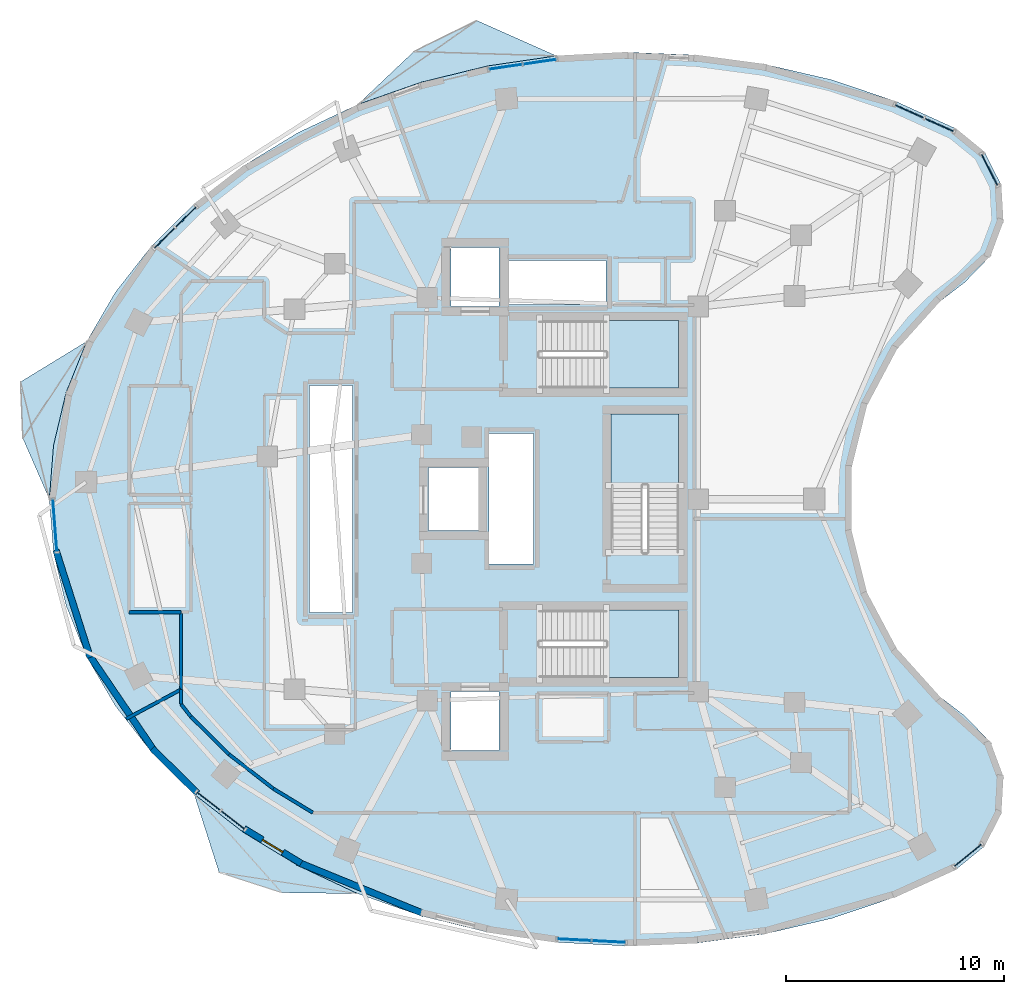
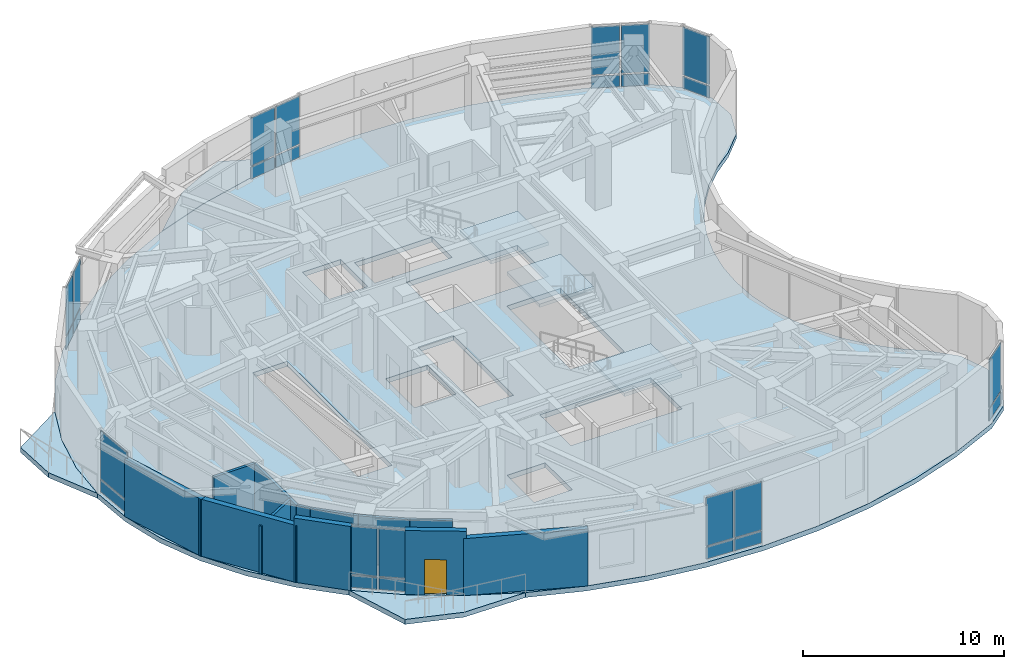
# One storey, part 6 of 13: 26 plates, 13 walls, 7 slabs, 1 door, 1 opening, 11 elements without a shape of their own.
"""IFC4 building model written with IfcOpenShell, lengths in metres."""

import ifcopenshell
import ifcopenshell.guid

model = None  # the IFC model being written
_history = None  # IfcOwnerHistory: only IFC2X3 demands one
_inside = {}  # id of a spatial element -> (the spatial element, [elements in it])
_under = {}  # id of a project, library or spatial element -> (it, [spatial elements below it])
_declared = {}  # id of a project -> (the project, [libraries it declares])
_typed = {}  # id of a type object -> (the type object, [elements of that type])
_made_of = {}  # id of a material, layer set ... -> (it, [elements and type objects made of it])


def new_model(schema):
    """Start an empty IFC model of exactly this schema.

    Asked for "IFC4X3", IfcOpenShell would pick the latest addendum, in which some entities
    have other attributes; the version numbers below select the first issue.
    IFC2X3 requires an IfcOwnerHistory on every rooted entity: one is made here for all.
    """
    global model, _history
    if schema == "IFC4X3":
        model = ifcopenshell.file(schema_version=(4, 3, 0, 0))
    else:
        model = ifcopenshell.file(schema=schema)
    _inside.clear()
    _under.clear()
    _declared.clear()
    _typed.clear()
    _made_of.clear()
    _history = None
    if model.schema == "IFC2X3":
        org = make("IfcOrganization", Name="unknown")
        user = make(
            "IfcPersonAndOrganization",
            ThePerson=make("IfcPerson", FamilyName="unknown"),
            TheOrganization=org,
        )
        app = make(
            "IfcApplication",
            ApplicationDeveloper=org,
            Version="unknown",
            ApplicationFullName="unknown",
            ApplicationIdentifier="unknown",
        )
        _history = make(
            "IfcOwnerHistory",
            OwningUser=user,
            OwningApplication=app,
            ChangeAction="ADDED",
            CreationDate=0,
        )
    return model


def make(cls, **values):
    """One entity of the class cls with the attributes given. An attribute that is None is left unset."""
    return model.create_entity(
        cls, **{name: value for name, value in values.items() if value is not None}
    )


def rooted(cls, **values):
    """An entity with a GlobalId (a new one), such as an element, a storey or a relation."""
    return make(cls, GlobalId=ifcopenshell.guid.new(), OwnerHistory=_history, **values)


def si_unit(unit_type, name, prefix=None):
    """IfcSIUnit, for example si_unit("LENGTHUNIT", "METRE", prefix="MILLI")."""
    return make("IfcSIUnit", UnitType=unit_type, Prefix=prefix, Name=name)


def assignment(units):
    """IfcUnitAssignment: the units of a project."""
    return None if units is None else make("IfcUnitAssignment", Units=units)


def point(xyz):
    """IfcCartesianPoint."""
    return None if xyz is None else make("IfcCartesianPoint", Coordinates=xyz)


def direction(xyz):
    """IfcDirection."""
    return None if xyz is None else make("IfcDirection", DirectionRatios=xyz)


def frame(location, z_axis=None, x_axis=None):
    """IfcAxis2Placement3D, a coordinate frame: its origin and axes. An axis left out is left unset."""
    return make(
        "IfcAxis2Placement3D",
        Location=point(location),
        Axis=direction(z_axis),
        RefDirection=direction(x_axis),
    )


def frame_2d(location, x_axis=None):
    """IfcAxis2Placement2D, a coordinate frame in the plane: its origin and x axis."""
    return make(
        "IfcAxis2Placement2D", Location=point(location), RefDirection=direction(x_axis)
    )


def origin():
    """The frame at (0, 0, 0) with its axes left unset."""
    return frame((0.0, 0.0, 0.0))


def origin_2d():
    """The frame at (0, 0) in the plane with its x axis left unset."""
    return frame_2d((0.0, 0.0))


def place(relative_to, where):
    """IfcLocalPlacement: puts the frame where relative to a parent placement (None: the world)."""
    return make(
        "IfcLocalPlacement", PlacementRelTo=relative_to, RelativePlacement=where
    )


def context(
    kind, dimensions, precision=None, world=None, true_north=None, identifier=None
):
    """IfcGeometricRepresentationContext, for example the 3D "Model" context."""
    return make(
        "IfcGeometricRepresentationContext",
        ContextIdentifier=identifier,
        ContextType=kind,
        CoordinateSpaceDimension=dimensions,
        Precision=precision,
        WorldCoordinateSystem=world,
        TrueNorth=true_north,
    )


def subcontext(parent, identifier, kind, view, scale=None):
    """IfcGeometricRepresentationSubContext, for example "Body" below "Model"."""
    return make(
        "IfcGeometricRepresentationSubContext",
        ContextIdentifier=identifier,
        ContextType=kind,
        ParentContext=parent,
        TargetScale=scale,
        TargetView=view,
    )


def project(units=None, contexts=None):
    """IfcProject with its units and contexts."""
    return rooted(
        "IfcProject",
        Name="project",
        RepresentationContexts=contexts,
        UnitsInContext=assignment(units),
    )


def spatial(cls, under=None, at=None, **own):
    """A site, building, storey or space (cls), placed at a placement, below another one or the project."""
    s = rooted(cls, ObjectPlacement=at, **own)
    if under is not None:
        _under.setdefault(under.id(), (under, []))[1].append(s)
    return s


def polyline(points):
    """IfcPolyline through the points."""
    return make("IfcPolyline", Points=[point(p) for p in points])


def profile(cls, at=None, kind="AREA", **sizes):
    """A parametric profile (cls). Its sizes go by their IFC names, for example OverallWidth=200.0."""
    return make(cls, ProfileType=kind, Position=at, **sizes)


def rectangle(**sizes):
    """IfcRectangleProfileDef."""
    return profile("IfcRectangleProfileDef", **sizes)


def outline(outer, holes=None, kind="AREA"):
    """IfcArbitraryClosedProfileDef: a profile drawn as a closed curve; with holes, ...WithVoids."""
    if holes is None:
        return make("IfcArbitraryClosedProfileDef", ProfileType=kind, OuterCurve=outer)
    return make(
        "IfcArbitraryProfileDefWithVoids",
        ProfileType=kind,
        OuterCurve=outer,
        InnerCurves=holes,
    )


def extrude(swept, where, along, depth):
    """IfcExtrudedAreaSolid: the profile swept, set in the frame where, extruded along a direction by depth."""
    return make(
        "IfcExtrudedAreaSolid",
        SweptArea=swept,
        Position=where,
        ExtrudedDirection=direction(along),
        Depth=depth,
    )


def shape(context_of_items, identifier, shape_type, items):
    """IfcShapeRepresentation: the items that make up one representation, for example the "Body"."""
    return make(
        "IfcShapeRepresentation",
        ContextOfItems=context_of_items,
        RepresentationIdentifier=identifier,
        RepresentationType=shape_type,
        Items=items,
    )


def material(Name=None, Category=None):
    """IfcMaterial."""
    return make("IfcMaterial", Name=Name, Category=Category)


def layer(
    of_material, thickness, ventilated=None, Name=None, Category=None, Priority=None
):
    """IfcMaterialLayer: one layer of a wall or slab, of a material (None: an air gap)."""
    return make(
        "IfcMaterialLayer",
        Material=of_material,
        LayerThickness=thickness,
        IsVentilated=ventilated,
        Name=Name,
        Category=Category,
        Priority=Priority,
    )


def layer_set(layers, Name=None):
    """IfcMaterialLayerSet."""
    return make("IfcMaterialLayerSet", MaterialLayers=layers, LayerSetName=Name)


def made_of(thing, what):
    """Note that an element or type object is made of a material, layer set ...; save() writes the relation."""
    if what is not None:
        _made_of.setdefault(what.id(), (what, []))[1].append(thing)
    return thing


def type_object(cls, material=None, **own):
    """A type object (cls), such as IfcWallType, which elements share."""
    return made_of(rooted(cls, **own), material)


def element(
    cls,
    number,
    at=None,
    inside=None,
    cuts=None,
    type_object=None,
    material=None,
    context=None,
    identifier="Body",
    shape_type=None,
    held_by="IfcProductDefinitionShape",
    body=None,
    shapes=None,
    **own,
):
    """One element of the class cls, such as IfcWall. Its Tag is "e" and its number.

    at: its placement. inside: the storey or other place that contains it. cuts: it is an
    opening in that element (IfcRelVoidsElement). A single representation is given by context,
    identifier, shape_type and body (its items); several are given by shapes. held_by: the class
    of the entity that holds the representations. save() writes the other relations.
    """
    e = rooted(cls, Tag="e%d" % number, ObjectPlacement=at, **own)
    if body is not None:
        shapes = [shape(context, identifier, shape_type, body)]
    if shapes is not None:
        e.Representation = make(held_by, Representations=shapes)
    if inside is not None:
        _inside.setdefault(inside.id(), (inside, []))[1].append(e)
    if cuts is not None:
        rooted(
            "IfcRelVoidsElement", RelatingBuildingElement=cuts, RelatedOpeningElement=e
        )
    if type_object is not None:
        _typed.setdefault(type_object.id(), (type_object, []))[1].append(e)
    return made_of(e, material)


def fill(opening, filler):
    """IfcRelFillsElement: the door or window that sits in an opening."""
    return rooted(
        "IfcRelFillsElement",
        RelatingOpeningElement=opening,
        RelatedBuildingElement=filler,
    )


def aggregate(whole, parts):
    """IfcRelAggregates: a whole, such as a stair, and the parts it consists of."""
    return rooted("IfcRelAggregates", RelatingObject=whole, RelatedObjects=parts)


def save(model, path):
    """Write the relations noted so far, then the file.

    IfcRelAggregates (storeys below a building ...), IfcRelContainedInSpatialStructure (elements
    in a storey), IfcRelDefinesByType, IfcRelAssociatesMaterial and IfcRelDeclares: one each for
    every whole, place, type object, material and project.
    """
    for whole, parts in _under.values():
        aggregate(whole, parts)
    for where, things in _inside.values():
        rooted(
            "IfcRelContainedInSpatialStructure",
            RelatedElements=things,
            RelatingStructure=where,
        )
    for kind, things in _typed.values():
        rooted("IfcRelDefinesByType", RelatedObjects=things, RelatingType=kind)
    for what, things in _made_of.values():
        rooted("IfcRelAssociatesMaterial", RelatedObjects=things, RelatingMaterial=what)
    for by, libraries in _declared.values():
        rooted("IfcRelDeclares", RelatingContext=by, RelatedDefinitions=libraries)
    model.write(path)


model = new_model("IFC4")

# Units and contexts
model_context = context("Model", 3, precision=1e-05, world=origin(), true_north=direction((0.0, 1.0)))
body_context = subcontext(model_context, "Body", "Model", "MODEL_VIEW")
ifc_project = project(units=[si_unit("LENGTHUNIT", "METRE"), si_unit("AREAUNIT", "SQUARE_METRE"), si_unit("VOLUMEUNIT", "CUBIC_METRE"), si_unit("PLANEANGLEUNIT", "RADIAN"), si_unit("MASSUNIT", "GRAM", prefix="KILO")], contexts=[model_context])

# Site, building, storey
site_placement = place(None, origin())
site = spatial("IfcSite", under=ifc_project, at=site_placement, CompositionType="ELEMENT")
building_placement = place(site_placement, origin())
building = spatial("IfcBuilding", under=site, at=building_placement, Name="Korentha Bioscience Tower", CompositionType="ELEMENT")
storey_placement = place(building_placement, frame((0.0, 0.0, 171.0)))
storey = spatial("IfcBuildingStorey", under=building, at=storey_placement, Name="L39", CompositionType="ELEMENT", Elevation=171.0)

# Curtain wall, plates
ifc_material_1 = material(Name="Thermally Broken Aluminium Frame", Category="aluminium")
ifc_layer_1 = layer(ifc_material_1, 0.219970703125, Name="Thermally Broken Aluminium Frame")
ifc_layer_set_1 = layer_set([ifc_layer_1], Name="Thermally Broken Aluminium Frame (CW-T1)")
curtain_wall_type = type_object("IfcCurtainWallType", Name="Standard Bioscience Lab Unitised Curtain Wall CW-T1", PredefinedType="USERDEFINED", material=ifc_layer_set_1)
curtain_wall_1_placement = place(storey_placement, origin())
curtain_wall_1 = element("IfcCurtainWall", 1, at=curtain_wall_1_placement, inside=storey, type_object=curtain_wall_type, Name="L39 Curtain Wall 01", ObjectType="UNITISED", PredefinedType="USERDEFINED")
ifc_material_2 = material(Name="Triple-Glazed Low-E Insulated Glass", Category="glass")
ifc_layer_2 = layer(ifc_material_2, 0.0439453125, Name="Triple-Glazed Low-E Insulated Glass")
ifc_layer_set_2 = layer_set([ifc_layer_2], Name="Triple-Glazed Low-E Insulated Glass (GL-44)")
plate_type = type_object("IfcPlateType", Name="Glazed Panel 44mm", PredefinedType="CURTAIN_PANEL", material=ifc_layer_set_2)
plate_1_placement = place(storey_placement, frame((48.625732421875, 44.190673828125, 0.08984375), z_axis=(0.0, 0.0, 1.0), x_axis=(-0.910644398392, 0.413190972406, 0.0)))
plate_1 = element("IfcPlate", 2, at=plate_1_placement, type_object=plate_type, Name="CW-L39-01 Bay 1 Glazed Panel 1", PredefinedType="CURTAIN_PANEL", context=body_context, shape_type="SweptSolid", body=[
    extrude(rectangle(XDim=1.422607421875, YDim=0.0439453125, at=origin_2d()), origin(), (0.0, 0.0, 1.0), 0.715087890625),
])
plate_2_placement = place(storey_placement, frame((48.625732421875, 44.190673828125, 0.89501953125), z_axis=(0.0, 0.0, 1.0), x_axis=(-0.910644398392, 0.413190972406, 0.0)))
plate_2 = element("IfcPlate", 3, at=plate_2_placement, type_object=plate_type, Name="CW-L39-01 Bay 1 Glazed Panel 2", PredefinedType="CURTAIN_PANEL", context=body_context, shape_type="SweptSolid", body=[
    extrude(rectangle(XDim=1.422607421875, YDim=0.0439453125, at=origin_2d()), origin(), (0.0, 0.0, 1.0), 2.9150390625),
])
plate_3_placement = place(storey_placement, frame((47.248291015625, 44.815673828125, 0.08984375), z_axis=(0.0, 0.0, 1.0), x_axis=(-0.910644398392, 0.413190972406, 0.0)))
plate_3 = element("IfcPlate", 4, at=plate_3_placement, type_object=plate_type, Name="CW-L39-01 Bay 2 Glazed Panel 1", PredefinedType="CURTAIN_PANEL", context=body_context, shape_type="SweptSolid", body=[
    extrude(rectangle(XDim=1.422607421875, YDim=0.0439453125, at=origin_2d()), origin(), (0.0, 0.0, 1.0), 0.715087890625),
])
plate_4_placement = place(storey_placement, frame((47.248291015625, 44.815673828125, 0.89501953125), z_axis=(0.0, 0.0, 1.0), x_axis=(-0.910644398392, 0.413190972406, 0.0)))
plate_4 = element("IfcPlate", 5, at=plate_4_placement, type_object=plate_type, Name="CW-L39-01 Bay 2 Glazed Panel 2", PredefinedType="CURTAIN_PANEL", context=body_context, shape_type="SweptSolid", body=[
    extrude(rectangle(XDim=1.422607421875, YDim=0.0439453125, at=origin_2d()), origin(), (0.0, 0.0, 1.0), 2.9150390625),
])
aggregate(curtain_wall_1, [plate_1, plate_2, plate_3, plate_4])

curtain_wall_2_placement = place(storey_placement, origin())
curtain_wall_2 = element("IfcCurtainWall", 6, at=curtain_wall_2_placement, inside=storey, type_object=curtain_wall_type, Name="L39 Curtain Wall 07", ObjectType="UNITISED", PredefinedType="USERDEFINED")
plate_5_placement = place(storey_placement, frame((30.27099609375, 47.090087890625, 0.08984375), z_axis=(0.0, 0.0, 1.0), x_axis=(-0.989461919888, -0.144793332342, 0.0)))
plate_5 = element("IfcPlate", 7, at=plate_5_placement, type_object=plate_type, Name="CW-L39-07 Bay 1 Glazed Panel 1", PredefinedType="CURTAIN_PANEL", context=body_context, shape_type="SweptSolid", body=[
    extrude(rectangle(XDim=1.498291015625, YDim=0.0439453125, at=origin_2d()), origin(), (0.0, 0.0, 1.0), 0.715087890625),
])
plate_6_placement = place(storey_placement, frame((30.27099609375, 47.090087890625, 0.89501953125), z_axis=(0.0, 0.0, 1.0), x_axis=(-0.989461919888, -0.144793332342, 0.0)))
plate_6 = element("IfcPlate", 8, at=plate_6_placement, type_object=plate_type, Name="CW-L39-07 Bay 1 Glazed Panel 2", PredefinedType="CURTAIN_PANEL", context=body_context, shape_type="SweptSolid", body=[
    extrude(rectangle(XDim=1.498291015625, YDim=0.0439453125, at=origin_2d()), origin(), (0.0, 0.0, 1.0), 2.9150390625),
])
plate_7_placement = place(storey_placement, frame((28.69921875, 46.860107421875, 0.08984375), z_axis=(0.0, 0.0, 1.0), x_axis=(-0.989461919888, -0.144793332342, 0.0)))
plate_7 = element("IfcPlate", 9, at=plate_7_placement, type_object=plate_type, Name="CW-L39-07 Bay 2 Glazed Panel 1", PredefinedType="CURTAIN_PANEL", context=body_context, shape_type="SweptSolid", body=[
    extrude(rectangle(XDim=1.498291015625, YDim=0.0439453125, at=origin_2d()), origin(), (0.0, 0.0, 1.0), 0.715087890625),
])
plate_8_placement = place(storey_placement, frame((28.69921875, 46.860107421875, 0.89501953125), z_axis=(0.0, 0.0, 1.0), x_axis=(-0.989461919888, -0.144793332342, 0.0)))
plate_8 = element("IfcPlate", 10, at=plate_8_placement, type_object=plate_type, Name="CW-L39-07 Bay 2 Glazed Panel 2", PredefinedType="CURTAIN_PANEL", context=body_context, shape_type="SweptSolid", body=[
    extrude(rectangle(XDim=1.498291015625, YDim=0.0439453125, at=origin_2d()), origin(), (0.0, 0.0, 1.0), 2.9150390625),
])
aggregate(curtain_wall_2, [plate_5, plate_6, plate_7, plate_8])

curtain_wall_3_placement = place(storey_placement, origin())
curtain_wall_3 = element("IfcCurtainWall", 11, at=curtain_wall_3_placement, inside=storey, type_object=curtain_wall_type, Name="L39 Curtain Wall 13", ObjectType="UNITISED", PredefinedType="USERDEFINED")
plate_9_placement = place(storey_placement, frame((14.00830078125, 39.957763671875, 0.08984375), z_axis=(0.0, 0.0, 1.0), x_axis=(-0.711460557971, -0.702726030862, 0.0)))
plate_9 = element("IfcPlate", 12, at=plate_9_placement, type_object=plate_type, Name="CW-L39-13 Bay 1 Glazed Panel 1", PredefinedType="CURTAIN_PANEL", context=body_context, shape_type="SweptSolid", body=[
    extrude(rectangle(XDim=1.290283203125, YDim=0.0439453125, at=origin_2d()), origin(), (0.0, 0.0, 1.0), 0.715087890625),
])
plate_10_placement = place(storey_placement, frame((14.00830078125, 39.957763671875, 0.89501953125), z_axis=(0.0, 0.0, 1.0), x_axis=(-0.711460557971, -0.702726030862, 0.0)))
plate_10 = element("IfcPlate", 13, at=plate_10_placement, type_object=plate_type, Name="CW-L39-13 Bay 1 Glazed Panel 2", PredefinedType="CURTAIN_PANEL", context=body_context, shape_type="SweptSolid", body=[
    extrude(rectangle(XDim=1.290283203125, YDim=0.0439453125, at=origin_2d()), origin(), (0.0, 0.0, 1.0), 2.9150390625),
])
plate_11_placement = place(storey_placement, frame((13.0263671875, 38.98779296875, 0.08984375), z_axis=(0.0, 0.0, 1.0), x_axis=(-0.711460557971, -0.702726030862, 0.0)))
plate_11 = element("IfcPlate", 14, at=plate_11_placement, type_object=plate_type, Name="CW-L39-13 Bay 2 Glazed Panel 1", PredefinedType="CURTAIN_PANEL", context=body_context, shape_type="SweptSolid", body=[
    extrude(rectangle(XDim=1.290283203125, YDim=0.0439453125, at=origin_2d()), origin(), (0.0, 0.0, 1.0), 0.715087890625),
])
plate_12_placement = place(storey_placement, frame((13.0263671875, 38.98779296875, 0.89501953125), z_axis=(0.0, 0.0, 1.0), x_axis=(-0.711460557971, -0.702726030862, 0.0)))
plate_12 = element("IfcPlate", 15, at=plate_12_placement, type_object=plate_type, Name="CW-L39-13 Bay 2 Glazed Panel 2", PredefinedType="CURTAIN_PANEL", context=body_context, shape_type="SweptSolid", body=[
    extrude(rectangle(XDim=1.290283203125, YDim=0.0439453125, at=origin_2d()), origin(), (0.0, 0.0, 1.0), 2.9150390625),
])
aggregate(curtain_wall_3, [plate_9, plate_10, plate_11, plate_12])

curtain_wall_4_placement = place(storey_placement, origin())
curtain_wall_4 = element("IfcCurtainWall", 16, at=curtain_wall_4_placement, inside=storey, type_object=curtain_wall_type, Name="L39 Curtain Wall 19", ObjectType="UNITISED", PredefinedType="USERDEFINED")
plate_13_placement = place(storey_placement, frame((7.991943359375, 25.781005859375, 0.08984375), z_axis=(0.0, 0.0, 1.0), x_axis=(0.078030772566, -0.996950950916, 0.0)))
plate_13 = element("IfcPlate", 17, at=plate_13_placement, type_object=plate_type, Name="CW-L39-19 Bay 1 Glazed Panel 1", PredefinedType="CURTAIN_PANEL", context=body_context, shape_type="SweptSolid", body=[
    extrude(rectangle(XDim=2.370361328125, YDim=0.0439453125, at=origin_2d()), origin(), (0.0, 0.0, 1.0), 0.715087890625),
])
plate_14_placement = place(storey_placement, frame((7.991943359375, 25.781005859375, 0.89501953125), z_axis=(0.0, 0.0, 1.0), x_axis=(0.078030772566, -0.996950950916, 0.0)))
plate_14 = element("IfcPlate", 18, at=plate_14_placement, type_object=plate_type, Name="CW-L39-19 Bay 1 Glazed Panel 2", PredefinedType="CURTAIN_PANEL", context=body_context, shape_type="SweptSolid", body=[
    extrude(rectangle(XDim=2.370361328125, YDim=0.0439453125, at=origin_2d()), origin(), (0.0, 0.0, 1.0), 2.9150390625),
])
aggregate(curtain_wall_4, [plate_13, plate_14])

curtain_wall_5_placement = place(storey_placement, origin())
curtain_wall_5 = element("IfcCurtainWall", 19, at=curtain_wall_5_placement, inside=storey, type_object=curtain_wall_type, Name="L39 Curtain Wall 25", ObjectType="UNITISED", PredefinedType="USERDEFINED")
plate_15_placement = place(storey_placement, frame((15.0556640625, 13.126953125, 0.08984375), z_axis=(0.0, 0.0, 1.0), x_axis=(0.790546796919, -0.612401634454, 0.0)))
plate_15 = element("IfcPlate", 20, at=plate_15_placement, type_object=plate_type, Name="CW-L39-25 Bay 1 Glazed Panel 1", PredefinedType="CURTAIN_PANEL", context=body_context, shape_type="SweptSolid", body=[
    extrude(rectangle(XDim=1.3349609375, YDim=0.0439453125, at=origin_2d()), origin(), (0.0, 0.0, 1.0), 0.715087890625),
])
plate_16_placement = place(storey_placement, frame((15.0556640625, 13.126953125, 0.89501953125), z_axis=(0.0, 0.0, 1.0), x_axis=(0.790546796919, -0.612401634454, 0.0)))
plate_16 = element("IfcPlate", 21, at=plate_16_placement, type_object=plate_type, Name="CW-L39-25 Bay 1 Glazed Panel 2", PredefinedType="CURTAIN_PANEL", context=body_context, shape_type="SweptSolid", body=[
    extrude(rectangle(XDim=1.3349609375, YDim=0.0439453125, at=origin_2d()), origin(), (0.0, 0.0, 1.0), 2.9150390625),
])
plate_17_placement = place(storey_placement, frame((16.18212890625, 12.25439453125, 0.08984375), z_axis=(0.0, 0.0, 1.0), x_axis=(0.790546796919, -0.612401634454, 0.0)))
plate_17 = element("IfcPlate", 22, at=plate_17_placement, type_object=plate_type, Name="CW-L39-25 Bay 2 Glazed Panel 1", PredefinedType="CURTAIN_PANEL", context=body_context, shape_type="SweptSolid", body=[
    extrude(rectangle(XDim=1.3349609375, YDim=0.0439453125, at=origin_2d()), origin(), (0.0, 0.0, 1.0), 0.715087890625),
])
plate_18_placement = place(storey_placement, frame((16.18212890625, 12.25439453125, 0.89501953125), z_axis=(0.0, 0.0, 1.0), x_axis=(0.790546796919, -0.612401634454, 0.0)))
plate_18 = element("IfcPlate", 23, at=plate_18_placement, type_object=plate_type, Name="CW-L39-25 Bay 2 Glazed Panel 2", PredefinedType="CURTAIN_PANEL", context=body_context, shape_type="SweptSolid", body=[
    extrude(rectangle(XDim=1.3349609375, YDim=0.0439453125, at=origin_2d()), origin(), (0.0, 0.0, 1.0), 2.9150390625),
])
aggregate(curtain_wall_5, [plate_15, plate_16, plate_17, plate_18])

curtain_wall_6_placement = place(storey_placement, origin())
curtain_wall_6 = element("IfcCurtainWall", 24, at=curtain_wall_6_placement, inside=storey, type_object=curtain_wall_type, Name="L39 Curtain Wall 31", ObjectType="UNITISED", PredefinedType="USERDEFINED")
plate_19_placement = place(storey_placement, frame((31.849853515625, 6.75390625, 0.08984375), z_axis=(0.0, 0.0, 1.0), x_axis=(0.998637677307, -0.052180355139, 0.0)))
plate_19 = element("IfcPlate", 25, at=plate_19_placement, type_object=plate_type, Name="CW-L39-31 Bay 1 Glazed Panel 1", PredefinedType="CURTAIN_PANEL", context=body_context, shape_type="SweptSolid", body=[
    extrude(rectangle(XDim=1.50830078125, YDim=0.0439453125, at=origin_2d()), origin(), (0.0, 0.0, 1.0), 0.715087890625),
])
plate_20_placement = place(storey_placement, frame((31.849853515625, 6.75390625, 0.89501953125), z_axis=(0.0, 0.0, 1.0), x_axis=(0.998637677307, -0.052180355139, 0.0)))
plate_20 = element("IfcPlate", 26, at=plate_20_placement, type_object=plate_type, Name="CW-L39-31 Bay 1 Glazed Panel 2", PredefinedType="CURTAIN_PANEL", context=body_context, shape_type="SweptSolid", body=[
    extrude(rectangle(XDim=1.50830078125, YDim=0.0439453125, at=origin_2d()), origin(), (0.0, 0.0, 1.0), 2.9150390625),
])
plate_21_placement = place(storey_placement, frame((33.446044921875, 6.67041015625, 0.08984375), z_axis=(0.0, 0.0, 1.0), x_axis=(0.998637677307, -0.052180355139, 0.0)))
plate_21 = element("IfcPlate", 27, at=plate_21_placement, type_object=plate_type, Name="CW-L39-31 Bay 2 Glazed Panel 1", PredefinedType="CURTAIN_PANEL", context=body_context, shape_type="SweptSolid", body=[
    extrude(rectangle(XDim=1.50830078125, YDim=0.0439453125, at=origin_2d()), origin(), (0.0, 0.0, 1.0), 0.715087890625),
])
plate_22_placement = place(storey_placement, frame((33.446044921875, 6.67041015625, 0.89501953125), z_axis=(0.0, 0.0, 1.0), x_axis=(0.998637677307, -0.052180355139, 0.0)))
plate_22 = element("IfcPlate", 28, at=plate_22_placement, type_object=plate_type, Name="CW-L39-31 Bay 2 Glazed Panel 2", PredefinedType="CURTAIN_PANEL", context=body_context, shape_type="SweptSolid", body=[
    extrude(rectangle(XDim=1.50830078125, YDim=0.0439453125, at=origin_2d()), origin(), (0.0, 0.0, 1.0), 2.9150390625),
])
aggregate(curtain_wall_6, [plate_19, plate_20, plate_21, plate_22])

curtain_wall_7_placement = place(storey_placement, origin())
curtain_wall_7 = element("IfcCurtainWall", 29, at=curtain_wall_7_placement, inside=storey, type_object=curtain_wall_type, Name="L39 Curtain Wall 37", ObjectType="UNITISED", PredefinedType="USERDEFINED")
plate_23_placement = place(storey_placement, frame((49.938720703125, 10.637451171875, 0.08984375), z_axis=(0.0, 0.0, 1.0), x_axis=(0.77425646139, 0.632871971251, 0.0)))
plate_23 = element("IfcPlate", 30, at=plate_23_placement, type_object=plate_type, Name="CW-L39-37 Bay 1 Glazed Panel 1", PredefinedType="CURTAIN_PANEL", context=body_context, shape_type="SweptSolid", body=[
    extrude(rectangle(XDim=1.591796875, YDim=0.0439453125, at=origin_2d()), origin(), (0.0, 0.0, 1.0), 0.715087890625),
])
plate_24_placement = place(storey_placement, frame((49.938720703125, 10.637451171875, 0.89501953125), z_axis=(0.0, 0.0, 1.0), x_axis=(0.77425646139, 0.632871971251, 0.0)))
plate_24 = element("IfcPlate", 31, at=plate_24_placement, type_object=plate_type, Name="CW-L39-37 Bay 1 Glazed Panel 2", PredefinedType="CURTAIN_PANEL", context=body_context, shape_type="SweptSolid", body=[
    extrude(rectangle(XDim=1.591796875, YDim=0.0439453125, at=origin_2d()), origin(), (0.0, 0.0, 1.0), 2.9150390625),
])
aggregate(curtain_wall_7, [plate_23, plate_24])

curtain_wall_8_placement = place(storey_placement, origin())
curtain_wall_8 = element("IfcCurtainWall", 32, at=curtain_wall_8_placement, inside=storey, type_object=curtain_wall_type, Name="L39 Curtain Wall 61", ObjectType="UNITISED", PredefinedType="USERDEFINED")
plate_25_placement = place(storey_placement, frame((50.936767578125, 42.124755859375, 0.08984375), z_axis=(0.0, 0.0, 1.0), x_axis=(-0.45428845847, 0.890854643868, 0.0)))
plate_25 = element("IfcPlate", 33, at=plate_25_placement, type_object=plate_type, Name="CW-L39-61 Bay 1 Glazed Panel 1", PredefinedType="CURTAIN_PANEL", context=body_context, shape_type="SweptSolid", body=[
    extrude(rectangle(XDim=1.591796875, YDim=0.0439453125, at=origin_2d()), origin(), (0.0, 0.0, 1.0), 0.715087890625),
])
plate_26_placement = place(storey_placement, frame((50.936767578125, 42.124755859375, 0.89501953125), z_axis=(0.0, 0.0, 1.0), x_axis=(-0.45428845847, 0.890854643868, 0.0)))
plate_26 = element("IfcPlate", 34, at=plate_26_placement, type_object=plate_type, Name="CW-L39-61 Bay 1 Glazed Panel 2", PredefinedType="CURTAIN_PANEL", context=body_context, shape_type="SweptSolid", body=[
    extrude(rectangle(XDim=1.591796875, YDim=0.0439453125, at=origin_2d()), origin(), (0.0, 0.0, 1.0), 2.9150390625),
])
aggregate(curtain_wall_8, [plate_25, plate_26])

# Slab
ifc_material_3 = material(Name="Concrete C50", Category="concrete")
ifc_layer_3 = layer(ifc_material_3, 0.300048828125, Name="Concrete C50")
ifc_layer_set_3 = layer_set([ifc_layer_3], Name="Concrete C50 (SL-L300)")
slab_type_1 = type_object("IfcSlabType", Name="Laboratory Vibration-Controlled Slab 300", PredefinedType="FLOOR", material=ifc_layer_set_3)
slab_1_placement = place(storey_placement, frame((0.0, 0.0, -0.300048828125)))
element("IfcSlab", 35, at=slab_1_placement, inside=storey, type_object=slab_type_1, Name="L39 Tower Structural Floor Slab", PredefinedType="FLOOR", context=body_context, shape_type="SweptSolid", body=[
    extrude(outline(polyline([(49.38525390625, 44.021728515625), (46.62109375, 45.27587890625), (43.681396484375, 46.266357421875), (40.608154296875, 46.978515625), (37.446044921875, 47.40234375), (34.24072265625, 47.531494140625), (31.038330078125, 47.364013671875), (27.88525390625, 46.902587890625), (24.826904296875, 46.154052734375), (21.907470703125, 45.128662109375), (19.169189453125, 43.841552734375), (16.6513671875, 42.311279296875), (14.390380859375, 40.56005859375), (12.419189453125, 38.613037109375), (10.76611328125, 36.498291015625), (9.454833984375, 34.246337890625), (8.504638671875, 31.889892578125), (7.9287109375, 29.462646484375), (7.736083984375, 27.0), (7.9287109375, 24.537353515625), (8.504638671875, 22.110107421875), (9.454833984375, 19.753662109375), (10.76611328125, 17.501708984375), (12.419189453125, 15.386962890625), (14.390380859375, 13.43994140625), (16.6513671875, 11.688720703125), (19.169189453125, 10.158447265625), (21.907470703125, 8.871337890625), (24.826904296875, 7.845947265625), (27.88525390625, 7.097412109375), (31.038330078125, 6.635986328125), (34.24072265625, 6.468505859375), (37.446044921875, 6.59765625), (40.608154296875, 7.021484375), (43.681396484375, 7.733642578125), (46.62109375, 8.72412109375), (49.38525390625, 9.978271484375), (50.695068359375, 11.048828125), (51.46337890625, 12.55615234375), (51.560791015625, 14.2451171875), (50.970458984375, 15.83056640625), (49.792236328125, 17.044677734375), (48.629150390625, 17.937255859375), (47.583251953125, 18.96484375), (46.670654296875, 20.1123046875), (45.904541015625, 21.3623046875), (45.29638671875, 22.696533203125), (44.855712890625, 24.094970703125), (44.58837890625, 25.53662109375), (44.498779296875, 27.0), (44.58837890625, 28.46337890625), (44.855712890625, 29.905029296875), (45.29638671875, 31.303466796875), (45.904541015625, 32.6376953125), (46.670654296875, 33.8876953125), (47.583251953125, 35.03515625), (48.629150390625, 36.062744140625), (49.792236328125, 36.955322265625), (50.970458984375, 38.16943359375), (51.560791015625, 39.7548828125), (51.46337890625, 41.44384765625), (50.695068359375, 42.951171875), (49.38525390625, 44.021728515625)]), holes=[polyline([(30.25, 32.10009765625), (36.64990234375, 32.10009765625), (36.64990234375, 35.199951171875), (30.25, 35.199951171875), (30.25, 32.10009765625)]), polyline([(30.25, 18.800048828125), (36.64990234375, 18.800048828125), (36.64990234375, 21.89990234375), (30.25, 21.89990234375), (30.25, 18.800048828125)]), polyline([(36.64990234375, 24.550048828125), (36.64990234375, 30.89990234375), (33.550048828125, 30.89990234375), (33.550048828125, 24.550048828125), (36.64990234375, 24.550048828125)]), polyline([(19.679931640625, 21.780029296875), (21.669921875, 21.780029296875), (21.669921875, 32.219970703125), (19.679931640625, 32.219970703125), (19.679931640625, 21.780029296875)]), polyline([(27.929931640625, 24.030029296875), (29.969970703125, 24.030029296875), (29.969970703125, 30.02001953125), (27.929931640625, 30.02001953125), (27.929931640625, 24.030029296875)]), polyline([(28.860107421875, 35.93994140625), (33.31005859375, 35.93994140625), (33.31005859375, 37.9599609375), (28.860107421875, 37.9599609375), (28.860107421875, 35.93994140625)]), polyline([(26.199951171875, 15.449951171875), (28.39990234375, 15.449951171875), (28.39990234375, 18.14990234375), (26.199951171875, 18.14990234375), (26.199951171875, 15.449951171875)]), polyline([(26.199951171875, 35.85009765625), (28.39990234375, 35.85009765625), (28.39990234375, 38.550048828125), (26.199951171875, 38.550048828125), (26.199951171875, 35.85009765625)]), polyline([(25.14990234375, 25.550048828125), (27.550048828125, 25.550048828125), (27.550048828125, 28.449951171875), (25.14990234375, 28.449951171875), (25.14990234375, 25.550048828125)])]), origin(), (0.0, 0.0, 1.0), 0.300048828125),
])

# Stair, slab
ifc_material_4 = material(Name="Precast Concrete C50", Category="concrete")
stair_type = type_object("IfcStairType", Name="Core Exit Dog-Leg Stair 1450", PredefinedType="HALF_TURN_STAIR", material=ifc_material_4)
stair_1_placement = place(storey_placement, origin())
stair_1 = element("IfcStair", 36, at=stair_1_placement, inside=storey, type_object=stair_type, Name="L39 Tower North Pressurized Exit Stair ST-1", PredefinedType="HALF_TURN_STAIR")
ifc_layer_4 = layer(ifc_material_3, 0.199951171875, Name="Concrete C50")
ifc_layer_set_4 = layer_set([ifc_layer_4], Name="Concrete C50 (SL-LND)")
slab_type_2 = type_object("IfcSlabType", Name="Landing Slab 200", PredefinedType="LANDING", material=ifc_layer_set_4)
slab_2_placement = place(storey_placement, frame((0.0, 0.0, 1.89990234375)))
slab_2 = element("IfcSlab", 37, at=slab_2_placement, type_object=slab_type_2, Name="ST-1 landing 1", PredefinedType="LANDING", context=body_context, shape_type="SweptSolid", body=[
    extrude(outline(polyline([(33.330078125, 32.10009765625), (36.64990234375, 32.10009765625), (36.64990234375, 35.199951171875), (33.330078125, 35.199951171875), (33.330078125, 32.10009765625)])), origin(), (0.0, 0.0, 1.0), 0.2001953125),
])
aggregate(stair_1, [slab_2])

stair_2_placement = place(storey_placement, origin())
stair_2 = element("IfcStair", 38, at=stair_2_placement, inside=storey, type_object=stair_type, Name="L39 Tower South Pressurized Exit Stair ST-2", PredefinedType="HALF_TURN_STAIR")
slab_3_placement = place(storey_placement, frame((0.0, 0.0, 1.89990234375)))
slab_3 = element("IfcSlab", 39, at=slab_3_placement, type_object=slab_type_2, Name="ST-2 landing 1", PredefinedType="LANDING", context=body_context, shape_type="SweptSolid", body=[
    extrude(outline(polyline([(33.330078125, 18.800048828125), (36.64990234375, 18.800048828125), (36.64990234375, 21.89990234375), (33.330078125, 21.89990234375), (33.330078125, 18.800048828125)])), origin(), (0.0, 0.0, 1.0), 0.2001953125),
])
aggregate(stair_2, [slab_3])

stair_3_placement = place(storey_placement, origin())
stair_3 = element("IfcStair", 40, at=stair_3_placement, inside=storey, type_object=stair_type, Name="L39 Tower Central Pressurized Exit Stair ST-3", PredefinedType="HALF_TURN_STAIR")
slab_4_placement = place(storey_placement, frame((0.0, 0.0, 1.89990234375)))
slab_4 = element("IfcSlab", 41, at=slab_4_placement, type_object=slab_type_2, Name="ST-3 landing 1", PredefinedType="LANDING", context=body_context, shape_type="SweptSolid", body=[
    extrude(outline(polyline([(36.64990234375, 27.6298828125), (36.64990234375, 30.89990234375), (33.550048828125, 30.89990234375), (33.550048828125, 27.6298828125), (36.64990234375, 27.6298828125)])), origin(), (0.0, 0.0, 1.0), 0.2001953125),
])
aggregate(stair_3, [slab_4])

# Slabs
ifc_layer_5 = layer(ifc_material_3, 0.300048828125, Name="Concrete C50")
ifc_layer_set_5 = layer_set([ifc_layer_5], Name="Concrete C50 (BS-240)")
slab_type_3 = type_object("IfcSlabType", Name="Sawtooth Sun-Ledge Balcony Slab 240", PredefinedType="USERDEFINED", material=ifc_layer_set_5)
slab_5_placement = place(storey_placement, frame((0.0, 0.0, -0.300048828125)))
element("IfcSlab", 42, at=slab_5_placement, inside=storey, type_object=slab_type_3, Name="L39 Sun-Ledge Balcony 01", ObjectType="BALCONY", PredefinedType="USERDEFINED", context=body_context, shape_type="SweptSolid", body=[
    extrude(outline(polyline([(21.907470703125, 45.128662109375), (24.826904296875, 46.154052734375), (27.88525390625, 46.902587890625), (31.038330078125, 47.364013671875), (27.3740234375, 48.990966796875), (24.482177734375, 47.5625), (21.907470703125, 45.128662109375)])), origin(), (0.0, 0.0, 1.0), 0.300048828125),
])
slab_6_placement = place(storey_placement, frame((0.0, 0.0, -0.300048828125)))
element("IfcSlab", 43, at=slab_6_placement, inside=storey, type_object=slab_type_3, Name="L39 Sun-Ledge Balcony 02", ObjectType="BALCONY", PredefinedType="USERDEFINED", context=body_context, shape_type="SweptSolid", body=[
    extrude(outline(polyline([(7.736083984375, 27.0), (7.9287109375, 29.462646484375), (8.504638671875, 31.889892578125), (9.454833984375, 34.246337890625), (6.41259765625, 32.385986328125), (6.517822265625, 29.79736328125), (7.736083984375, 27.0)])), origin(), (0.0, 0.0, 1.0), 0.300048828125),
])
slab_7_placement = place(storey_placement, frame((0.0, 0.0, -0.300048828125)))
element("IfcSlab", 44, at=slab_7_placement, inside=storey, type_object=slab_type_3, Name="L39 Sun-Ledge Balcony 03", ObjectType="BALCONY", PredefinedType="USERDEFINED", context=body_context, shape_type="SweptSolid", body=[
    extrude(outline(polyline([(21.907470703125, 8.871337890625), (19.169189453125, 10.158447265625), (16.6513671875, 11.688720703125), (14.390380859375, 13.43994140625), (15.53466796875, 9.851318359375), (18.416015625, 8.919189453125), (21.907470703125, 8.871337890625)])), origin(), (0.0, 0.0, 1.0), 0.300048828125),
])

# Walls
ifc_material_5 = material(Name="Double-Stud Acoustic Gypsum", Category="gypsum")
ifc_layer_6 = layer(ifc_material_5, 0.14990234375, Name="Double-Stud Acoustic Gypsum")
ifc_layer_set_6 = layer_set([ifc_layer_6], Name="Double-Stud Acoustic Gypsum (IW-L150)")
wall_type_1 = type_object("IfcWallType", Name="Acoustic Laboratory Partition Wall 150", PredefinedType="PARTITIONING", material=ifc_layer_set_6)
wall_1_placement = place(storey_placement, frame((13.7900390625, 21.800048828125, 0.0), z_axis=(0.0, 0.0, 1.0), x_axis=(-1.0, 0.0, 0.0)))
element("IfcWall", 45, at=wall_1_placement, inside=storey, type_object=wall_type_1, Name="L39 Interior Partition 021", PredefinedType="PARTITIONING", context=body_context, shape_type="SweptSolid", body=[
    extrude(rectangle(XDim=2.39013671875, YDim=0.14990234375, at=frame_2d((1.195068359375, 0.0))), origin(), (0.0, 0.0, 1.0), 2.909912109375),
])
wall_2_placement = place(storey_placement, frame((11.26611328125, 16.901123046875, 0.0), z_axis=(0.0, 0.0, 1.0), x_axis=(0.8815585549, 0.472074691423, 0.0)))
element("IfcWall", 46, at=wall_2_placement, inside=storey, type_object=wall_type_1, Name="L39 Interior Partition 032", PredefinedType="PARTITIONING", context=body_context, shape_type="SweptSolid", body=[
    extrude(rectangle(XDim=2.863037109375, YDim=0.14990234375, at=frame_2d((1.431640625, 0.0))), origin(), (0.0, 0.0, 1.0), 2.909912109375),
])
wall_3_placement = place(storey_placement, frame((13.7900390625, 18.252685546875, 0.0), z_axis=(0.0, 0.0, 1.0), x_axis=(0.0, -1.0, 0.0)))
element("IfcWall", 47, at=wall_3_placement, inside=storey, type_object=wall_type_1, Name="L39 Interior Partition 033", PredefinedType="PARTITIONING", context=body_context, shape_type="SweptSolid", body=[
    extrude(rectangle(XDim=0.670166015625, YDim=0.14990234375, at=frame_2d((0.3349609375, 0.0))), origin(), (0.0, 0.0, 1.0), 2.909912109375),
])
wall_4_placement = place(storey_placement, frame((13.7919921875, 17.576416015625, 0.0), z_axis=(0.0, 0.0, 1.0), x_axis=(0.615925776879, -0.787804187204, 0.0)))
element("IfcWall", 48, at=wall_4_placement, inside=storey, type_object=wall_type_1, Name="L39 Interior Partition 034", PredefinedType="PARTITIONING", context=body_context, shape_type="SweptSolid", body=[
    extrude(rectangle(XDim=0.722900390625, YDim=0.14990234375, at=frame_2d((0.361328125, 0.0))), origin(), (0.0, 0.0, 1.0), 2.909912109375),
])
wall_5_placement = place(storey_placement, frame((14.23828125, 17.005859375, 0.0), z_axis=(0.0, 0.0, 1.0), x_axis=(0.711447157113, -0.702739598027, 0.0)))
element("IfcWall", 49, at=wall_5_placement, inside=storey, type_object=wall_type_1, Name="L39 Interior Partition 035", PredefinedType="PARTITIONING", context=body_context, shape_type="SweptSolid", body=[
    extrude(rectangle(XDim=2.46728515625, YDim=0.14990234375, at=frame_2d((1.233642578125, 0.0))), origin(), (0.0, 0.0, 1.0), 2.909912109375),
])
wall_6_placement = place(storey_placement, frame((15.99462890625, 15.27099609375, 0.0), z_axis=(0.0, 0.0, 1.0), x_axis=(0.790550458789, -0.61239690733, 0.0)))
element("IfcWall", 50, at=wall_6_placement, inside=storey, type_object=wall_type_1, Name="L39 Interior Partition 036", PredefinedType="PARTITIONING", context=body_context, shape_type="SweptSolid", body=[
    extrude(rectangle(XDim=2.574951171875, YDim=0.14990234375, at=frame_2d((1.28759765625, 0.0))), origin(), (0.0, 0.0, 1.0), 2.909912109375),
])
wall_7_placement = place(storey_placement, frame((18.03125, 13.693603515625, 0.0), z_axis=(0.0, 0.0, 1.0), x_axis=(0.85454497186, -0.51937740716, 0.0)))
element("IfcWall", 51, at=wall_7_placement, inside=storey, type_object=wall_type_1, Name="L39 Interior Partition 037", PredefinedType="PARTITIONING", context=body_context, shape_type="SweptSolid", body=[
    extrude(rectangle(XDim=2.121826171875, YDim=0.14990234375, at=frame_2d((1.06103515625, 0.0))), origin(), (0.0, 0.0, 1.0), 2.909912109375),
])
wall_8_placement = place(storey_placement, frame((13.7900390625, 21.7900390625, 0.0), z_axis=(0.0, 0.0, 1.0), x_axis=(0.0, -1.0, 0.0)))
element("IfcWall", 52, at=wall_8_placement, inside=storey, type_object=wall_type_1, Name="L39 Interior Partition 064", PredefinedType="PARTITIONING", context=body_context, shape_type="SweptSolid", body=[
    extrude(rectangle(XDim=3.52734375, YDim=0.14990234375, at=frame_2d((1.763671875, 0.0))), origin(), (0.0, 0.0, 1.0), 2.909912109375),
])

# Wall, opening, door
ifc_material_6 = material(Name="Honed Limestone Precast Concrete C40", Category="masonry")
ifc_layer_7 = layer(ifc_material_6, 0.300048828125, Name="Honed Limestone Precast Concrete C40")
ifc_layer_set_7 = layer_set([ifc_layer_7], Name="Honed Limestone Precast Concrete C40 (EW-ST300)")
wall_type_2 = type_object("IfcWallType", Name="Honed Limestone Cavity Spandrel Wall 300", PredefinedType="STANDARD", material=ifc_layer_set_7)
wall_9_placement = place(storey_placement, frame((16.68310546875, 11.8564453125, 0.0), z_axis=(0.0, 0.0, 1.0), x_axis=(0.85455658592, -0.519358297769, 0.0)))
wall_9 = element("IfcWall", 53, at=wall_9_placement, inside=storey, type_object=wall_type_2, Name="L39 Balcony Threshold Wall 03", PredefinedType="STANDARD", context=body_context, shape_type="SweptSolid", body=[
    extrude(rectangle(XDim=3.06640625, YDim=0.300048828125, at=frame_2d((1.533203125, 0.0))), origin(), (0.0, 0.0, 1.0), 3.89990234375),
])
opening_placement = place(wall_9_placement, frame((0.983154296875, 0.0, 0.0)))
opening = element("IfcOpeningElement", 54, at=opening_placement, cuts=wall_9, Name="Opening BD-11L", PredefinedType="OPENING", context=body_context, shape_type="SweptSolid", body=[
    extrude(rectangle(XDim=1.10009765625, YDim=2.14990234375, at=frame_2d((0.550048828125, 1.074951171875))), frame((0.0, 0.1650390625, 0.0), z_axis=(0.0, -1.0, 0.0), x_axis=(1.0, 0.0, 0.0)), (0.0, 0.0, 1.0), 0.329833984375),
])
ifc_material_7 = material(Name="Thermally Broken Glazed Aluminium", Category="aluminium")
door_type = type_object("IfcDoorType", Name="Balcony Terrace Glazed Door 1100x2150 Left", OperationType="SINGLE_SWING_LEFT", PredefinedType="DOOR", material=ifc_material_7)
door_placement = place(opening_placement, origin())
door = element("IfcDoor", 55, at=door_placement, inside=storey, type_object=door_type, Name="L39 Balcony Access Door 03", OperationType="SINGLE_SWING_LEFT", OverallHeight=2.14990234375, OverallWidth=1.10009765625, PredefinedType="DOOR", context=body_context, shape_type="SweptSolid", body=[
    extrude(rectangle(XDim=1.10009765625, YDim=2.14990234375, at=frame_2d((0.550048828125, 1.074951171875))), frame((0.0, 0.02490234375, 0.0), z_axis=(0.0, -1.0, 0.0), x_axis=(1.0, 0.0, 0.0)), (0.0, 0.0, 1.0), 0.050048828125),
])
fill(opening, door)

# Walls
wall_10_placement = place(storey_placement, frame((8.037841796875, 24.656005859375, 0.0), z_axis=(0.0, 0.0, 1.0), x_axis=(0.303930984078, -0.952694052106, 0.0)))
element("IfcWall", 56, at=wall_10_placement, inside=storey, type_object=wall_type_2, Name="L39 Limestone Perimeter Closure Wall 20", PredefinedType="STANDARD", context=body_context, shape_type="SweptSolid", body=[
    extrude(rectangle(XDim=5.18115234375, YDim=0.300048828125, at=frame_2d((2.590576171875, 0.0))), origin(), (0.0, 0.0, 1.0), 3.469970703125),
])
wall_11_placement = place(storey_placement, frame((9.52587890625, 19.8984375, 0.0), z_axis=(0.0, 0.0, 1.0), x_axis=(0.561663900064, -0.827365495634, 0.0)))
element("IfcWall", 57, at=wall_11_placement, inside=storey, type_object=wall_type_2, Name="L39 Limestone Perimeter Closure Wall 22", PredefinedType="STANDARD", context=body_context, shape_type="SweptSolid", body=[
    extrude(rectangle(XDim=5.437744140625, YDim=0.300048828125, at=frame_2d((2.71875, 0.0))), origin(), (0.0, 0.0, 1.0), 3.469970703125),
])
wall_12_placement = place(storey_placement, frame((12.460693359375, 15.542724609375, 0.0), z_axis=(0.0, 0.0, 1.0), x_axis=(0.711508162911, -0.702677830951, 0.0)))
element("IfcWall", 58, at=wall_12_placement, inside=storey, type_object=wall_type_2, Name="L39 Limestone Perimeter Closure Wall 24", PredefinedType="STANDARD", context=body_context, shape_type="SweptSolid", body=[
    extrude(rectangle(XDim=2.9306640625, YDim=0.300048828125, at=frame_2d((1.46533203125, 0.0))), origin(), (0.0, 0.0, 1.0), 3.89990234375),
])
wall_13_placement = place(storey_placement, frame((19.14794921875, 10.318359375, 0.0), z_axis=(0.0, 0.0, 1.0), x_axis=(0.925664098805, -0.378346370648, 0.0)))
element("IfcWall", 59, at=wall_13_placement, inside=storey, type_object=wall_type_2, Name="L39 Limestone Perimeter Closure Wall 27", PredefinedType="STANDARD", context=body_context, shape_type="SweptSolid", body=[
    extrude(rectangle(XDim=6.272216796875, YDim=0.300048828125, at=frame_2d((3.13623046875, 0.0))), origin(), (0.0, 0.0, 1.0), 3.469970703125),
])

save(model, "model.ifc")
